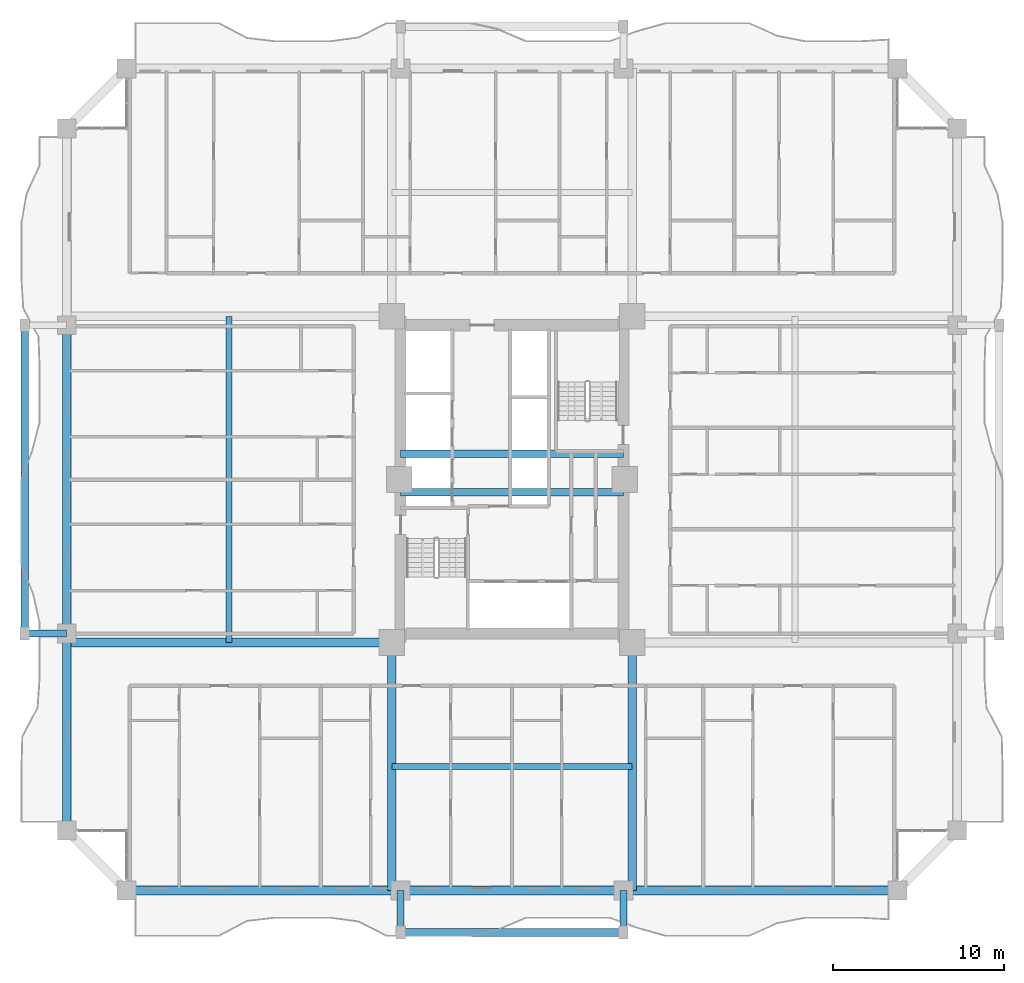
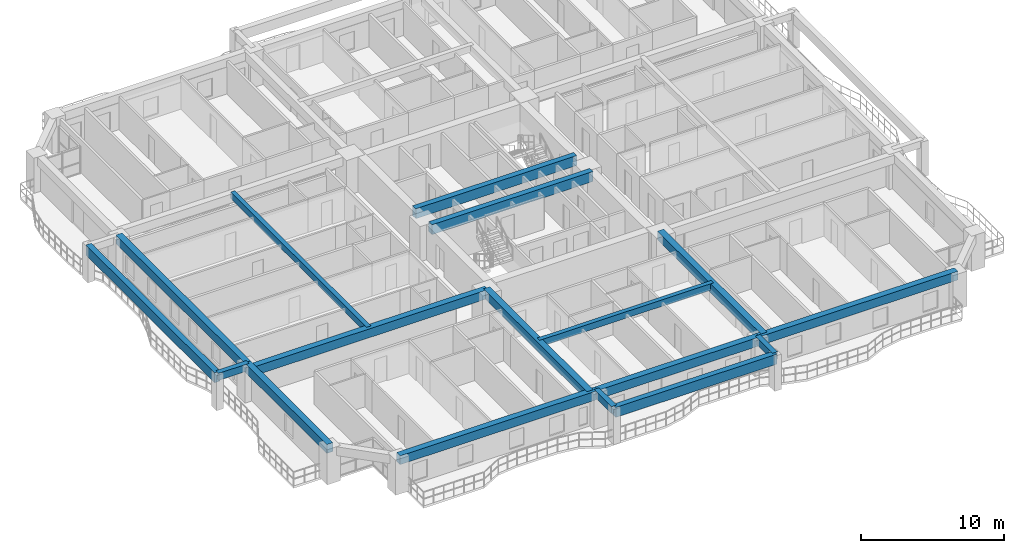
# One storey, part 3 of 27: 17 beams.
"""IFC4 building model written with IfcOpenShell, lengths in metres."""

from ifc_helpers import new_model, si_unit, direction, frame, origin, origin_2d, place, context, subcontext, project, spatial, rectangle, extrude, source, transform, mapped, material, material_profile, profile_set, type_object, element, save


model = new_model("IFC4")

# Units and contexts
model_context = context("Model", 3, precision=1e-05, world=origin(), true_north=direction((0.0, 1.0)))
body_context = subcontext(model_context, "Body", "Model", "MODEL_VIEW")
ifc_project = project(units=[si_unit("LENGTHUNIT", "METRE"), si_unit("AREAUNIT", "SQUARE_METRE"), si_unit("VOLUMEUNIT", "CUBIC_METRE"), si_unit("PLANEANGLEUNIT", "RADIAN"), si_unit("MASSUNIT", "GRAM", prefix="KILO")], contexts=[model_context])

# Site, building, storey
site_placement = place(None, origin())
site = spatial("IfcSite", under=ifc_project, at=site_placement, CompositionType="ELEMENT")
building_placement = place(site_placement, origin())
building = spatial("IfcBuilding", under=site, at=building_placement, Name="Saelheon Loggia Tower", CompositionType="ELEMENT")
storey_placement = place(building_placement, frame((0.0, 0.0, 43.39990234375)))
storey = spatial("IfcBuildingStorey", under=building, at=storey_placement, Name="L13", CompositionType="ELEMENT", Elevation=43.39990234375)

# Beams
ifc_material_1 = material(Name="Concrete C50/60", Category="concrete")
ifc_material_profile_1 = material_profile(ifc_material_1, rectangle(XDim=0.449951171875, YDim=0.85009765625, at=origin_2d()), Name="RC-450x850")
ifc_profile_set_1 = profile_set([ifc_material_profile_1], Name="Concrete C50/60")
beam_type_1 = type_object("IfcBeamType", Name="Beam_CoreLintel_RC450x850", PredefinedType="LINTEL", material=ifc_profile_set_1)
shared_shape_1 = source(origin(), body_context, "Body", "SweptSolid", [
    extrude(rectangle(XDim=0.449951171875, YDim=0.85009765625, at=origin_2d()), origin(), (0.0, 0.0, 1.0), 13.0),
])
for number, where, z_axis, x_axis, name in (
    (1, (31.5, 26.25, 2.5751953125), (1.0, 0.0, 0.0), (0.0, 1.0, 0.0), "L13 Core Coupling Lintel 1"),
    (2, (31.5, 28.5, 2.5751953125), (1.0, 0.0, 0.0), (0.0, 1.0, 0.0), "L13 Core Coupling Lintel 2"),
):
    element("IfcBeam", number, at=place(storey_placement, frame(where, z_axis=z_axis, x_axis=x_axis)), inside=storey, type_object=beam_type_1, Name=name, PredefinedType="LINTEL", context=body_context, shape_type="MappedRepresentation", body=[
        mapped(shared_shape_1, transform((0.0, 0.0, 0.0), scale=1.0)),
    ])
ifc_material_2 = material(Name="Precast Concrete C45/55", Category="concrete")
ifc_material_profile_2 = material_profile(ifc_material_2, rectangle(XDim=0.449951171875, YDim=0.85009765625, at=origin_2d()), Name="RC-450x850")
ifc_profile_set_2 = profile_set([ifc_material_profile_2], Name="Precast Concrete C45/55")
beam_type_2 = type_object("IfcBeamType", Name="Beam_LoggiaSpandrel_RC450x850", PredefinedType="SPANDREL", material=ifc_profile_set_2)
beam_1_placement = place(storey_placement, frame((31.5, 0.550048828125, 2.5751953125), z_axis=(1.0, 0.0, 0.0), x_axis=(0.0, 1.0, 0.0)))
element("IfcBeam", 3, at=beam_1_placement, inside=storey, type_object=beam_type_2, Name="L13 Loggia Spandrel Beam S", PredefinedType="SPANDREL", context=body_context, shape_type="MappedRepresentation", body=[
    mapped(shared_shape_1, transform((0.0, 0.0, 0.0), scale=1.0)),
])
ifc_material_3 = material(Name="Concrete C45/55", Category="concrete")
ifc_material_profile_3 = material_profile(ifc_material_3, rectangle(XDim=0.5, YDim=0.75, at=origin_2d()), Name="RC-500x750")
ifc_profile_set_3 = profile_set([ifc_material_profile_3], Name="Concrete C45/55")
beam_type_3 = type_object("IfcBeamType", Name="Beam_FloorGirder_RC500x750", PredefinedType="BEAM", material=ifc_profile_set_3)
shared_shape_2 = source(origin(), body_context, "Body", "SweptSolid", [
    extrude(rectangle(XDim=0.5, YDim=0.75, at=origin_2d()), origin(), (0.0, 0.0, 1.0), 14.47998046875),
])
for number, where, z_axis, x_axis, name in (
    (4, (30.97998046875, 17.47998046875, 2.625), (0.0, -1.0, 0.0), (1.0, 0.0, 0.0), "L13 Radial Floor Girder RAD-SW-S"),
    (5, (45.02001953125, 17.47998046875, 2.625), (0.0, -1.0, 0.0), (1.0, 0.0, 0.0), "L13 Radial Floor Girder RAD-SE-S"),
):
    element("IfcBeam", number, at=place(storey_placement, frame(where, z_axis=z_axis, x_axis=x_axis)), inside=storey, type_object=beam_type_3, Name=name, PredefinedType="BEAM", context=body_context, shape_type="MappedRepresentation", body=[
        mapped(shared_shape_2, transform((0.0, 0.0, 0.0), scale=1.0)),
    ])
ifc_material_profile_4 = material_profile(ifc_material_3, rectangle(XDim=0.5, YDim=0.75, at=origin_2d()), Name="RC-500x750")
ifc_profile_set_4 = profile_set([ifc_material_profile_4], Name="Concrete C45/55")
beam_type_4 = type_object("IfcBeamType", Name="Beam_PerimGirder_RC500x750", PredefinedType="BEAM", material=ifc_profile_set_4)
shared_shape_3 = source(origin(), body_context, "Body", "SweptSolid", [
    extrude(rectangle(XDim=0.5, YDim=0.75, at=origin_2d()), origin(), (0.0, 0.0, 1.0), 16.0),
])
for number, where, z_axis, x_axis, name in (
    (6, (15.5, 3.0, 2.625), (1.0, 0.0, 0.0), (0.0, 1.0, 0.0), "L13 Perimeter Frame Girder 01"),
    (7, (44.5, 3.0, 2.625), (1.0, 0.0, 0.0), (0.0, 1.0, 0.0), "L13 Perimeter Frame Girder 03"),
):
    element("IfcBeam", number, at=place(storey_placement, frame(where, z_axis=z_axis, x_axis=x_axis)), inside=storey, type_object=beam_type_4, Name=name, PredefinedType="BEAM", context=body_context, shape_type="MappedRepresentation", body=[
        mapped(shared_shape_3, transform((0.0, 0.0, 0.0), scale=1.0)),
    ])
shared_shape_4 = source(origin(), body_context, "Body", "SweptSolid", [
    extrude(rectangle(XDim=0.5, YDim=0.75, at=origin_2d()), origin(), (0.0, 0.0, 1.0), 13.0),
])
beam_2_placement = place(storey_placement, frame((31.5, 3.0, 2.625), z_axis=(1.0, 0.0, 0.0), x_axis=(0.0, 1.0, 0.0)))
element("IfcBeam", 8, at=beam_2_placement, inside=storey, type_object=beam_type_4, Name="L13 Perimeter Frame Girder 02", PredefinedType="BEAM", context=body_context, shape_type="MappedRepresentation", body=[
    mapped(shared_shape_4, transform((0.0, 0.0, 0.0), scale=1.0)),
])
shared_shape_5 = source(origin(), body_context, "Body", "SweptSolid", [
    extrude(rectangle(XDim=0.5, YDim=0.75, at=origin_2d()), origin(), (0.0, 0.0, 1.0), 11.5),
])
beam_3_placement = place(storey_placement, frame((12.0, 18.0, 2.625), z_axis=(0.0, -1.0, 0.0), x_axis=(1.0, 0.0, 0.0)))
element("IfcBeam", 9, at=beam_3_placement, inside=storey, type_object=beam_type_4, Name="L13 Perimeter Frame Girder 15", PredefinedType="BEAM", context=body_context, shape_type="MappedRepresentation", body=[
    mapped(shared_shape_5, transform((0.0, 0.0, 0.0), scale=1.0)),
])
shared_shape_6 = source(origin(), body_context, "Body", "SweptSolid", [
    extrude(rectangle(XDim=0.5, YDim=0.75, at=origin_2d()), origin(), (0.0, 0.0, 1.0), 18.0),
])
beam_4_placement = place(storey_placement, frame((12.0, 36.0, 2.625), z_axis=(0.0, -1.0, 0.0), x_axis=(1.0, 0.0, 0.0)))
element("IfcBeam", 10, at=beam_4_placement, inside=storey, type_object=beam_type_4, Name="L13 Perimeter Frame Girder 14", PredefinedType="BEAM", context=body_context, shape_type="MappedRepresentation", body=[
    mapped(shared_shape_6, transform((0.0, 0.0, 0.0), scale=1.0)),
])
shared_shape_7 = source(origin(), body_context, "Body", "SweptSolid", [
    extrude(rectangle(XDim=0.5, YDim=0.75, at=origin_2d()), origin(), (0.0, 0.0, 1.0), 18.97998046875),
])
beam_5_placement = place(storey_placement, frame((30.97998046875, 17.47998046875, 2.625), z_axis=(-1.0, 0.0, 0.0), x_axis=(0.0, -1.0, 0.0)))
element("IfcBeam", 11, at=beam_5_placement, inside=storey, type_object=beam_type_3, Name="L13 Radial Floor Girder RAD-SW-W", PredefinedType="BEAM", context=body_context, shape_type="MappedRepresentation", body=[
    mapped(shared_shape_7, transform((0.0, 0.0, 0.0), scale=1.0)),
])
ifc_material_4 = material(Name="Concrete C40/50", Category="concrete")
ifc_material_profile_5 = material_profile(ifc_material_4, rectangle(XDim=0.35009765625, YDim=0.550048828125, at=origin_2d()), Name="RC-350x550")
ifc_profile_set_5 = profile_set([ifc_material_profile_5], Name="Concrete C40/50")
beam_type_5 = type_object("IfcBeamType", Name="Beam_Joist_RC350x550", PredefinedType="JOIST", material=ifc_profile_set_5)
shared_shape_8 = source(origin(), body_context, "Body", "SweptSolid", [
    extrude(rectangle(XDim=0.35009765625, YDim=0.550048828125, at=origin_2d()), origin(), (0.0, 0.0, 1.0), 14.0400390625),
])
beam_6_placement = place(storey_placement, frame((30.97998046875, 10.239990234375, 2.72509765625), z_axis=(1.0, 0.0, 0.0), x_axis=(0.0, 1.0, 0.0)))
element("IfcBeam", 12, at=beam_6_placement, inside=storey, type_object=beam_type_5, Name="L13 South Floor Joist", PredefinedType="JOIST", context=body_context, shape_type="MappedRepresentation", body=[
    mapped(shared_shape_8, transform((0.0, 0.0, 0.0), scale=1.0)),
])
shared_shape_9 = source(origin(), body_context, "Body", "SweptSolid", [
    extrude(rectangle(XDim=0.35009765625, YDim=0.550048828125, at=origin_2d()), origin(), (0.0, 0.0, 1.0), 19.0400390625),
])
beam_7_placement = place(storey_placement, frame((21.489990234375, 17.47998046875, 2.72509765625), z_axis=(0.0, 1.0, 0.0), x_axis=(-1.0, 0.0, 0.0)))
element("IfcBeam", 13, at=beam_7_placement, inside=storey, type_object=beam_type_5, Name="L13 West Floor Joist", PredefinedType="JOIST", context=body_context, shape_type="MappedRepresentation", body=[
    mapped(shared_shape_9, transform((0.0, 0.0, 0.0), scale=1.0)),
])
ifc_material_profile_6 = material_profile(ifc_material_2, rectangle(XDim=0.39990234375, YDim=0.60009765625, at=origin_2d()), Name="RC-400x600")
ifc_profile_set_6 = profile_set([ifc_material_profile_6], Name="Precast Concrete C45/55")
beam_type_6 = type_object("IfcBeamType", Name="Beam_LoggiaTie_RC400x600", PredefinedType="BEAM", material=ifc_profile_set_6)
shared_shape_10 = source(origin(), body_context, "Body", "SweptSolid", [
    extrude(rectangle(XDim=0.39990234375, YDim=0.60009765625, at=origin_2d()), origin(), (0.0, 0.0, 1.0), 2.449951171875),
])
for number, where, z_axis, x_axis, name in (
    (14, (31.5, 3.0, 2.7001953125), (0.0, -1.0, 0.0), (1.0, 0.0, 0.0), "L13 Loggia Frame Tie Beam LP-S1"),
    (15, (44.5, 3.0, 2.7001953125), (0.0, -1.0, 0.0), (1.0, 0.0, 0.0), "L13 Loggia Frame Tie Beam LP-S2"),
    (16, (12.0, 18.0, 2.7001953125), (-1.0, 0.0, 0.0), (0.0, -1.0, 0.0), "L13 Loggia Frame Tie Beam LP-W1"),
):
    element("IfcBeam", number, at=place(storey_placement, frame(where, z_axis=z_axis, x_axis=x_axis)), inside=storey, type_object=beam_type_6, Name=name, PredefinedType="BEAM", context=body_context, shape_type="MappedRepresentation", body=[
        mapped(shared_shape_10, transform((0.0, 0.0, 0.0), scale=1.0)),
    ])
shared_shape_11 = source(origin(), body_context, "Body", "SweptSolid", [
    extrude(rectangle(XDim=0.449951171875, YDim=0.85009765625, at=origin_2d()), origin(), (0.0, 0.0, 1.0), 18.0),
])
beam_8_placement = place(storey_placement, frame((9.550048828125, 18.0, 2.5751953125), z_axis=(0.0, 1.0, 0.0), x_axis=(-1.0, 0.0, 0.0)))
element("IfcBeam", 17, at=beam_8_placement, inside=storey, type_object=beam_type_2, Name="L13 Loggia Spandrel Beam W", PredefinedType="SPANDREL", context=body_context, shape_type="MappedRepresentation", body=[
    mapped(shared_shape_11, transform((0.0, 0.0, 0.0), scale=1.0)),
])

save(model, "model.ifc")
